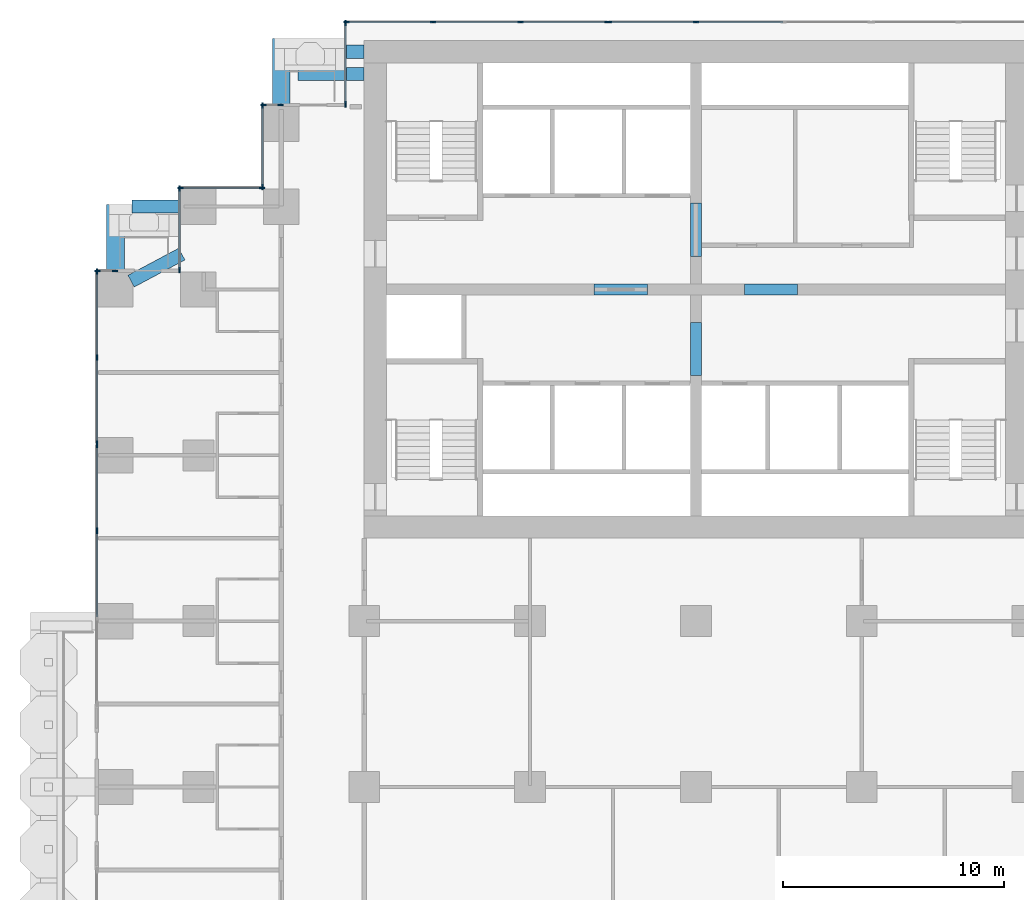
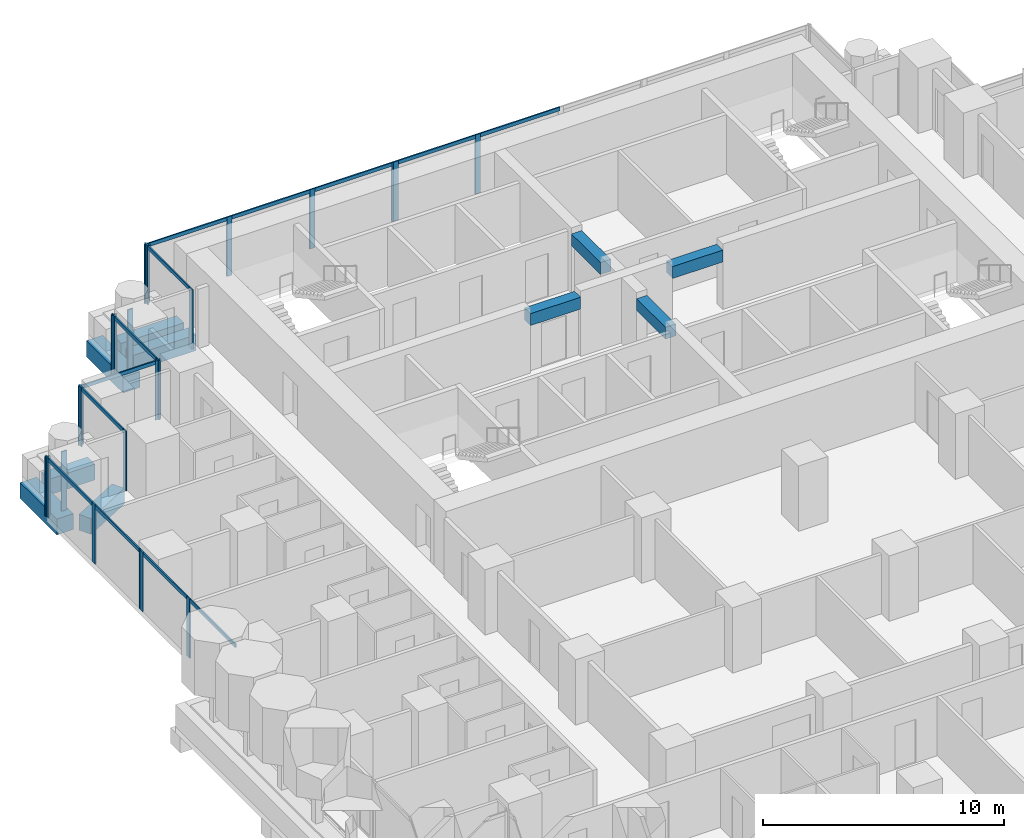
# One storey, part 4 of 18: 36 members, 10 beams, 10 elements without a shape of their own.
"""IFC4 building model written with IfcOpenShell, lengths in metres."""

from ifc_helpers import new_model, si_unit, direction, frame, origin, origin_2d, place, context, subcontext, project, spatial, rectangle, extrude, material, material_profile, profile_set, type_object, element, aggregate, save


model = new_model("IFC4")

# Units and contexts
model_context = context("Model", 3, precision=1e-05, world=origin(), true_north=direction((0.0, 1.0)))
body_context = subcontext(model_context, "Body", "Model", "MODEL_VIEW")
ifc_project = project(units=[si_unit("LENGTHUNIT", "METRE"), si_unit("AREAUNIT", "SQUARE_METRE"), si_unit("VOLUMEUNIT", "CUBIC_METRE"), si_unit("PLANEANGLEUNIT", "RADIAN"), si_unit("MASSUNIT", "GRAM", prefix="KILO")], contexts=[model_context])

# Site, building, storey
site_placement = place(None, origin())
site = spatial("IfcSite", under=ifc_project, at=site_placement, CompositionType="ELEMENT")
building_placement = place(site_placement, origin())
building = spatial("IfcBuilding", under=site, at=building_placement, Name="Pilkhan Gate Tower", CompositionType="ELEMENT")
storey_placement = place(building_placement, frame((0.0, 0.0, 52.699951171875)))
storey = spatial("IfcBuildingStorey", under=building, at=storey_placement, Name="L10", CompositionType="ELEMENT", Elevation=52.699951171875)

# Beams
ifc_material_1 = material(Name="Concrete C50/60", Category="concrete")
ifc_material_profile_1 = material_profile(ifc_material_1, rectangle(XDim=0.60009765625, YDim=0.800048828125, at=origin_2d()), Name="RC 600x800")
ifc_profile_set_1 = profile_set([ifc_material_profile_1], Name="Concrete C50/60")
beam_type_1 = type_object("IfcBeamType", Name="Cantilever beam CB1 RC 600x800 C50/60", PredefinedType="BEAM", material=ifc_profile_set_1)
for number, where, z_axis, x_axis, name in (
    (1, (60.0, 93.25, -0.699951171875), (-1.0, 0.0, 0.0), (0.0, -1.0, 0.0), "Balcony beam NW.2 L10"),
    (2, (60.0, 92.25, -0.699951171875), (-1.0, 0.0, 0.0), (0.0, -1.0, 0.0), "Balcony beam NW.3 L10"),
):
    element("IfcBeam", number, at=place(storey_placement, frame(where, z_axis=z_axis, x_axis=x_axis)), inside=storey, type_object=beam_type_1, Name=name, PredefinedType="BEAM", context=body_context, shape_type="SweptSolid", body=[
        extrude(rectangle(XDim=0.60009765625, YDim=0.800048828125, at=origin_2d()), origin(), (0.0, 0.0, 1.0), 3.0),
    ])
beam_1_placement = place(storey_placement, frame((51.699951171875, 86.25, -0.699951171875), z_axis=(-1.0, 0.0, 0.0), x_axis=(0.0, -1.0, 0.0)))
element("IfcBeam", 3, at=beam_1_placement, inside=storey, type_object=beam_type_1, Name="Balcony beam NW2.2 L10", PredefinedType="BEAM", context=body_context, shape_type="SweptSolid", body=[
    extrude(rectangle(XDim=0.60009765625, YDim=0.800048828125, at=origin_2d()), origin(), (0.0, 0.0, 1.0), 2.199951171875),
])
beam_2_placement = place(storey_placement, frame((49.455810546875, 82.87646484375, -0.699951171875), z_axis=(0.882342544151, 0.470607729199, 0.0), x_axis=(-0.470607729199, 0.882342544151, 0.0)))
element("IfcBeam", 4, at=beam_2_placement, inside=storey, type_object=beam_type_1, Name="Balcony beam NW2.3 L10", PredefinedType="BEAM", context=body_context, shape_type="SweptSolid", body=[
    extrude(rectangle(XDim=0.60009765625, YDim=0.800048828125, at=origin_2d()), origin(), (0.0, 0.0, 1.0), 2.60009765625),
])
ifc_material_profile_2 = material_profile(ifc_material_1, rectangle(XDim=0.800048828125, YDim=0.800048828125, at=origin_2d()), Name="RC 800x800")
ifc_profile_set_2 = profile_set([ifc_material_profile_2], Name="Concrete C50/60")
beam_type_2 = type_object("IfcBeamType", Name="Cantilever beam CB2 RC 800x800 C50/60", PredefinedType="BEAM", material=ifc_profile_set_2)
for number, where, z_axis, x_axis, name in (
    (5, (56.25, 90.800048828125, -0.699951171875), (0.0, 1.0, 0.0), (-1.0, 0.0, 0.0), "Balcony beam NW.1 L10"),
    (6, (48.75, 83.300048828125, -0.699951171875), (0.0, 1.0, 0.0), (-1.0, 0.0, 0.0), "Balcony beam NW2.1 L10"),
):
    element("IfcBeam", number, at=place(storey_placement, frame(where, z_axis=z_axis, x_axis=x_axis)), inside=storey, type_object=beam_type_2, Name=name, PredefinedType="BEAM", context=body_context, shape_type="SweptSolid", body=[
        extrude(rectangle(XDim=0.800048828125, YDim=0.800048828125, at=origin_2d()), origin(), (0.0, 0.0, 1.0), 3.050048828125),
    ])
ifc_material_2 = material(Name="Concrete C70/85", Category="concrete")
ifc_material_profile_3 = material_profile(ifc_material_2, rectangle(XDim=0.5, YDim=0.60009765625, at=origin_2d()), Name="RC 500x600")
ifc_profile_set_3 = profile_set([ifc_material_profile_3], Name="Concrete C70/85")
beam_type_3 = type_object("IfcBeamType", Name="Coupling beam CB60 RC 500x600 C70/85", PredefinedType="LINTEL", material=ifc_profile_set_3)
for number, where, z_axis, x_axis, name in (
    (7, (70.39990234375, 82.5, 2.699951171875), (1.0, 0.0, 0.0), (0.0, 1.0, 0.0), "Coupling beam 1 L10"),
    (8, (77.199951171875, 82.5, 2.699951171875), (1.0, 0.0, 0.0), (0.0, 1.0, 0.0), "Coupling beam 2 L10"),
):
    element("IfcBeam", number, at=place(storey_placement, frame(where, z_axis=z_axis, x_axis=x_axis)), inside=storey, type_object=beam_type_3, Name=name, PredefinedType="LINTEL", context=body_context, shape_type="SweptSolid", body=[
        extrude(rectangle(XDim=0.5, YDim=0.60009765625, at=origin_2d()), origin(), (0.0, 0.0, 1.0), 2.400146484375),
    ])
for number, where, z_axis, x_axis, name in (
    (9, (75.0, 78.60009765625, 2.699951171875), (0.0, 1.0, 0.0), (-1.0, 0.0, 0.0), "Coupling beam 3 L10"),
    (10, (75.0, 84.0, 2.699951171875), (0.0, 1.0, 0.0), (-1.0, 0.0, 0.0), "Coupling beam 4 L10"),
):
    element("IfcBeam", number, at=place(storey_placement, frame(where, z_axis=z_axis, x_axis=x_axis)), inside=storey, type_object=beam_type_3, Name=name, PredefinedType="LINTEL", context=body_context, shape_type="SweptSolid", body=[
        extrude(rectangle(XDim=0.5, YDim=0.60009765625, at=origin_2d()), origin(), (0.0, 0.0, 1.0), 2.39990234375),
    ])

# Curtain wall, members
ifc_material_3 = material(Name="Pale anodised aluminium, clear low-iron double glazing", Category="aluminium")
curtain_wall_type = type_object("IfcCurtainWallType", Name="Hotel unitised curtain wall CW-H", PredefinedType="USERDEFINED", material=ifc_material_3)
curtain_wall_1_placement = place(storey_placement, origin())
curtain_wall_1 = element("IfcCurtainWall", 11, at=curtain_wall_1_placement, inside=storey, type_object=curtain_wall_type, Name="Hotel unitised curtain wall CW-H L10 N", ObjectType="UNITISED CURTAIN WALL", PredefinedType="USERDEFINED")
ifc_material_4 = material(Name="Pale anodised aluminium", Category="aluminium")
ifc_material_profile_4 = material_profile(ifc_material_4, rectangle(XDim=0.06494140625, YDim=0.25, at=origin_2d()), Name="Mullion 250x65")
ifc_profile_set_4 = profile_set([ifc_material_profile_4], Name="Pale anodised aluminium")
member_type_1 = type_object("IfcMemberType", Name="Mullion CW-H 250x65", PredefinedType="MULLION", material=ifc_profile_set_4)
member_1_placement = place(storey_placement, frame((59.1875, 94.594970703125, 0.0), z_axis=(0.0, 0.0, 1.0), x_axis=(0.0, 1.0, 0.0)))
member_1 = element("IfcMember", 12, at=member_1_placement, type_object=member_type_1, Name="CW-H mullion 1", PredefinedType="MULLION", context=body_context, shape_type="SweptSolid", body=[
    extrude(rectangle(XDim=0.06494140625, YDim=0.25, at=origin_2d()), origin(), (0.0, 0.0, 1.0), 3.0),
])
member_2_placement = place(storey_placement, frame((63.1162109375, 94.594970703125, 0.0), z_axis=(0.0, 0.0, 1.0), x_axis=(0.0, 1.0, 0.0)))
member_2 = element("IfcMember", 13, at=member_2_placement, type_object=member_type_1, Name="CW-H mullion 2", PredefinedType="MULLION", context=body_context, shape_type="SweptSolid", body=[
    extrude(rectangle(XDim=0.06494140625, YDim=0.25, at=origin_2d()), origin(), (0.0, 0.0, 1.0), 3.0),
])
member_3_placement = place(storey_placement, frame((67.077392578125, 94.594970703125, 0.0), z_axis=(0.0, 0.0, 1.0), x_axis=(0.0, 1.0, 0.0)))
member_3 = element("IfcMember", 14, at=member_3_placement, type_object=member_type_1, Name="CW-H mullion 3", PredefinedType="MULLION", context=body_context, shape_type="SweptSolid", body=[
    extrude(rectangle(XDim=0.06494140625, YDim=0.25, at=origin_2d()), origin(), (0.0, 0.0, 1.0), 3.0),
])
member_4_placement = place(storey_placement, frame((71.00634765625, 94.594970703125, 0.0), z_axis=(0.0, 0.0, 1.0), x_axis=(0.0, 1.0, 0.0)))
member_4 = element("IfcMember", 15, at=member_4_placement, type_object=member_type_1, Name="CW-H mullion 4", PredefinedType="MULLION", context=body_context, shape_type="SweptSolid", body=[
    extrude(rectangle(XDim=0.06494140625, YDim=0.25, at=origin_2d()), origin(), (0.0, 0.0, 1.0), 3.0),
])

curtain_wall_2_placement = place(storey_placement, origin())
curtain_wall_2 = element("IfcCurtainWall", 16, at=curtain_wall_2_placement, inside=storey, type_object=curtain_wall_type, Name="Hotel unitised curtain wall CW-H L10 N", ObjectType="UNITISED CURTAIN WALL", PredefinedType="USERDEFINED")
member_5_placement = place(storey_placement, frame((71.0712890625, 94.594970703125, 0.0), z_axis=(0.0, 0.0, 1.0), x_axis=(0.0, 1.0, 0.0)))
member_5 = element("IfcMember", 17, at=member_5_placement, type_object=member_type_1, Name="CW-H mullion 1", PredefinedType="MULLION", context=body_context, shape_type="SweptSolid", body=[
    extrude(rectangle(XDim=0.06494140625, YDim=0.25, at=origin_2d()), origin(), (0.0, 0.0, 1.0), 3.0),
])
member_6_placement = place(storey_placement, frame((75.0, 94.594970703125, 0.0), z_axis=(0.0, 0.0, 1.0), x_axis=(0.0, 1.0, 0.0)))
member_6 = element("IfcMember", 18, at=member_6_placement, type_object=member_type_1, Name="CW-H mullion 2", PredefinedType="MULLION", context=body_context, shape_type="SweptSolid", body=[
    extrude(rectangle(XDim=0.06494140625, YDim=0.25, at=origin_2d()), origin(), (0.0, 0.0, 1.0), 3.0),
])

curtain_wall_3_placement = place(storey_placement, origin())
curtain_wall_3 = element("IfcCurtainWall", 19, at=curtain_wall_3_placement, inside=storey, type_object=curtain_wall_type, Name="Hotel unitised curtain wall CW-H L10 W", ObjectType="UNITISED CURTAIN WALL", PredefinedType="USERDEFINED")
member_7_placement = place(storey_placement, frame((59.155029296875, 90.87744140625, 0.0), z_axis=(0.0, 0.0, 1.0), x_axis=(-1.0, 0.0, 0.0)))
member_7 = element("IfcMember", 20, at=member_7_placement, type_object=member_type_1, Name="CW-H mullion 1", PredefinedType="MULLION", context=body_context, shape_type="SweptSolid", body=[
    extrude(rectangle(XDim=0.06494140625, YDim=0.25, at=origin_2d()), origin(), (0.0, 0.0, 1.0), 3.0),
])
member_8_placement = place(storey_placement, frame((59.155029296875, 94.5625, 0.0), z_axis=(0.0, 0.0, 1.0), x_axis=(-1.0, 0.0, 0.0)))
member_8 = element("IfcMember", 21, at=member_8_placement, type_object=member_type_1, Name="CW-H mullion 2", PredefinedType="MULLION", context=body_context, shape_type="SweptSolid", body=[
    extrude(rectangle(XDim=0.06494140625, YDim=0.25, at=origin_2d()), origin(), (0.0, 0.0, 1.0), 3.0),
])

curtain_wall_4_placement = place(storey_placement, origin())
curtain_wall_4 = element("IfcCurtainWall", 22, at=curtain_wall_4_placement, inside=storey, type_object=curtain_wall_type, Name="Hotel unitised curtain wall CW-H L10 N", ObjectType="UNITISED CURTAIN WALL", PredefinedType="USERDEFINED")
member_9_placement = place(storey_placement, frame((55.4375, 90.844970703125, 0.0), z_axis=(0.0, 0.0, 1.0), x_axis=(0.0, 1.0, 0.0)))
member_9 = element("IfcMember", 23, at=member_9_placement, type_object=member_type_1, Name="CW-H mullion 1", PredefinedType="MULLION", context=body_context, shape_type="SweptSolid", body=[
    extrude(rectangle(XDim=0.06494140625, YDim=0.25, at=origin_2d()), origin(), (0.0, 0.0, 1.0), 3.0),
])
member_10_placement = place(storey_placement, frame((56.217529296875, 90.844970703125, 0.0), z_axis=(0.0, 0.0, 1.0), x_axis=(0.0, 1.0, 0.0)))
member_10 = element("IfcMember", 24, at=member_10_placement, type_object=member_type_1, Name="CW-H mullion 2", PredefinedType="MULLION", context=body_context, shape_type="SweptSolid", body=[
    extrude(rectangle(XDim=0.06494140625, YDim=0.25, at=origin_2d()), origin(), (0.0, 0.0, 1.0), 3.0),
])
aggregate(curtain_wall_4, [member_9, member_10])

curtain_wall_5_placement = place(storey_placement, origin())
curtain_wall_5 = element("IfcCurtainWall", 25, at=curtain_wall_5_placement, inside=storey, type_object=curtain_wall_type, Name="Hotel unitised curtain wall CW-H L10 W", ObjectType="UNITISED CURTAIN WALL", PredefinedType="USERDEFINED")
member_11_placement = place(storey_placement, frame((55.405029296875, 87.12744140625, 0.0), z_axis=(0.0, 0.0, 1.0), x_axis=(-1.0, 0.0, 0.0)))
member_11 = element("IfcMember", 26, at=member_11_placement, type_object=member_type_1, Name="CW-H mullion 1", PredefinedType="MULLION", context=body_context, shape_type="SweptSolid", body=[
    extrude(rectangle(XDim=0.06494140625, YDim=0.25, at=origin_2d()), origin(), (0.0, 0.0, 1.0), 3.0),
])
member_12_placement = place(storey_placement, frame((55.405029296875, 90.8125, 0.0), z_axis=(0.0, 0.0, 1.0), x_axis=(-1.0, 0.0, 0.0)))
member_12 = element("IfcMember", 27, at=member_12_placement, type_object=member_type_1, Name="CW-H mullion 2", PredefinedType="MULLION", context=body_context, shape_type="SweptSolid", body=[
    extrude(rectangle(XDim=0.06494140625, YDim=0.25, at=origin_2d()), origin(), (0.0, 0.0, 1.0), 3.0),
])

curtain_wall_6_placement = place(storey_placement, origin())
curtain_wall_6 = element("IfcCurtainWall", 28, at=curtain_wall_6_placement, inside=storey, type_object=curtain_wall_type, Name="Hotel unitised curtain wall CW-H L10 N", ObjectType="UNITISED CURTAIN WALL", PredefinedType="USERDEFINED")
member_13_placement = place(storey_placement, frame((51.6875, 87.094970703125, 0.0), z_axis=(0.0, 0.0, 1.0), x_axis=(0.0, 1.0, 0.0)))
member_13 = element("IfcMember", 29, at=member_13_placement, type_object=member_type_1, Name="CW-H mullion 1", PredefinedType="MULLION", context=body_context, shape_type="SweptSolid", body=[
    extrude(rectangle(XDim=0.06494140625, YDim=0.25, at=origin_2d()), origin(), (0.0, 0.0, 1.0), 3.0),
])
member_14_placement = place(storey_placement, frame((55.37255859375, 87.094970703125, 0.0), z_axis=(0.0, 0.0, 1.0), x_axis=(0.0, 1.0, 0.0)))
member_14 = element("IfcMember", 30, at=member_14_placement, type_object=member_type_1, Name="CW-H mullion 2", PredefinedType="MULLION", context=body_context, shape_type="SweptSolid", body=[
    extrude(rectangle(XDim=0.06494140625, YDim=0.25, at=origin_2d()), origin(), (0.0, 0.0, 1.0), 3.0),
])

curtain_wall_7_placement = place(storey_placement, origin())
curtain_wall_7 = element("IfcCurtainWall", 31, at=curtain_wall_7_placement, inside=storey, type_object=curtain_wall_type, Name="Hotel unitised curtain wall CW-H L10 W", ObjectType="UNITISED CURTAIN WALL", PredefinedType="USERDEFINED")
member_15_placement = place(storey_placement, frame((51.655029296875, 83.37744140625, 0.0), z_axis=(0.0, 0.0, 1.0), x_axis=(-1.0, 0.0, 0.0)))
member_15 = element("IfcMember", 32, at=member_15_placement, type_object=member_type_1, Name="CW-H mullion 1", PredefinedType="MULLION", context=body_context, shape_type="SweptSolid", body=[
    extrude(rectangle(XDim=0.06494140625, YDim=0.25, at=origin_2d()), origin(), (0.0, 0.0, 1.0), 3.0),
])
member_16_placement = place(storey_placement, frame((51.655029296875, 87.0625, 0.0), z_axis=(0.0, 0.0, 1.0), x_axis=(-1.0, 0.0, 0.0)))
member_16 = element("IfcMember", 33, at=member_16_placement, type_object=member_type_1, Name="CW-H mullion 2", PredefinedType="MULLION", context=body_context, shape_type="SweptSolid", body=[
    extrude(rectangle(XDim=0.06494140625, YDim=0.25, at=origin_2d()), origin(), (0.0, 0.0, 1.0), 3.0),
])

curtain_wall_8_placement = place(storey_placement, origin())
curtain_wall_8 = element("IfcCurtainWall", 34, at=curtain_wall_8_placement, inside=storey, type_object=curtain_wall_type, Name="Hotel unitised curtain wall CW-H L10 N", ObjectType="UNITISED CURTAIN WALL", PredefinedType="USERDEFINED")
member_17_placement = place(storey_placement, frame((47.9375, 83.344970703125, 0.0), z_axis=(0.0, 0.0, 1.0), x_axis=(0.0, 1.0, 0.0)))
member_17 = element("IfcMember", 35, at=member_17_placement, type_object=member_type_1, Name="CW-H mullion 1", PredefinedType="MULLION", context=body_context, shape_type="SweptSolid", body=[
    extrude(rectangle(XDim=0.06494140625, YDim=0.25, at=origin_2d()), origin(), (0.0, 0.0, 1.0), 3.0),
])
member_18_placement = place(storey_placement, frame((48.717529296875, 83.344970703125, 0.0), z_axis=(0.0, 0.0, 1.0), x_axis=(0.0, 1.0, 0.0)))
member_18 = element("IfcMember", 36, at=member_18_placement, type_object=member_type_1, Name="CW-H mullion 2", PredefinedType="MULLION", context=body_context, shape_type="SweptSolid", body=[
    extrude(rectangle(XDim=0.06494140625, YDim=0.25, at=origin_2d()), origin(), (0.0, 0.0, 1.0), 3.0),
])
aggregate(curtain_wall_8, [member_17, member_18])

curtain_wall_9_placement = place(storey_placement, origin())
curtain_wall_9 = element("IfcCurtainWall", 37, at=curtain_wall_9_placement, inside=storey, type_object=curtain_wall_type, Name="Hotel unitised curtain wall CW-H L10 W", ObjectType="UNITISED CURTAIN WALL", PredefinedType="USERDEFINED")
member_19_placement = place(storey_placement, frame((47.905029296875, 71.587890625, 0.0), z_axis=(0.0, 0.0, 1.0), x_axis=(-1.0, 0.0, 0.0)))
member_19 = element("IfcMember", 38, at=member_19_placement, type_object=member_type_1, Name="CW-H mullion 3", PredefinedType="MULLION", context=body_context, shape_type="SweptSolid", body=[
    extrude(rectangle(XDim=0.06494140625, YDim=0.25, at=origin_2d()), origin(), (0.0, 0.0, 1.0), 3.0),
])
member_20_placement = place(storey_placement, frame((47.905029296875, 75.474609375, 0.0), z_axis=(0.0, 0.0, 1.0), x_axis=(-1.0, 0.0, 0.0)))
member_20 = element("IfcMember", 39, at=member_20_placement, type_object=member_type_1, Name="CW-H mullion 4", PredefinedType="MULLION", context=body_context, shape_type="SweptSolid", body=[
    extrude(rectangle(XDim=0.06494140625, YDim=0.25, at=origin_2d()), origin(), (0.0, 0.0, 1.0), 3.0),
])

curtain_wall_10_placement = place(storey_placement, origin())
curtain_wall_10 = element("IfcCurtainWall", 40, at=curtain_wall_10_placement, inside=storey, type_object=curtain_wall_type, Name="Hotel unitised curtain wall CW-H L10 W", ObjectType="UNITISED CURTAIN WALL", PredefinedType="USERDEFINED")
member_21_placement = place(storey_placement, frame((47.905029296875, 75.53955078125, 0.0), z_axis=(0.0, 0.0, 1.0), x_axis=(-1.0, 0.0, 0.0)))
member_21 = element("IfcMember", 41, at=member_21_placement, type_object=member_type_1, Name="CW-H mullion 1", PredefinedType="MULLION", context=body_context, shape_type="SweptSolid", body=[
    extrude(rectangle(XDim=0.06494140625, YDim=0.25, at=origin_2d()), origin(), (0.0, 0.0, 1.0), 3.0),
])
member_22_placement = place(storey_placement, frame((47.905029296875, 79.426025390625, 0.0), z_axis=(0.0, 0.0, 1.0), x_axis=(-1.0, 0.0, 0.0)))
member_22 = element("IfcMember", 42, at=member_22_placement, type_object=member_type_1, Name="CW-H mullion 2", PredefinedType="MULLION", context=body_context, shape_type="SweptSolid", body=[
    extrude(rectangle(XDim=0.06494140625, YDim=0.25, at=origin_2d()), origin(), (0.0, 0.0, 1.0), 3.0),
])
member_23_placement = place(storey_placement, frame((47.905029296875, 83.3125, 0.0), z_axis=(0.0, 0.0, 1.0), x_axis=(-1.0, 0.0, 0.0)))
member_23 = element("IfcMember", 43, at=member_23_placement, type_object=member_type_1, Name="CW-H mullion 3", PredefinedType="MULLION", context=body_context, shape_type="SweptSolid", body=[
    extrude(rectangle(XDim=0.06494140625, YDim=0.25, at=origin_2d()), origin(), (0.0, 0.0, 1.0), 3.0),
])

# Member
ifc_material_profile_5 = material_profile(ifc_material_4, rectangle(XDim=0.06494140625, YDim=0.179931640625, at=origin_2d()), Name="Transom 180x65")
ifc_profile_set_5 = profile_set([ifc_material_profile_5], Name="Pale anodised aluminium")
member_type_2 = type_object("IfcMemberType", Name="Transom CW-H 180x65", PredefinedType="USERDEFINED", material=ifc_profile_set_5)
member_24_placement = place(storey_placement, frame((59.219970703125, 94.594970703125, 2.91015625), z_axis=(1.0, 0.0, 0.0), x_axis=(0.0, 1.0, 0.0)))
member_24 = element("IfcMember", 44, at=member_24_placement, type_object=member_type_2, Name="CW-H transom 1", ObjectType="TRANSOM", PredefinedType="USERDEFINED", context=body_context, shape_type="SweptSolid", body=[
    extrude(rectangle(XDim=0.06494140625, YDim=0.179931640625, at=origin_2d()), origin(), (0.0, 0.0, 1.0), 3.86376953125),
])

member_25_placement = place(storey_placement, frame((63.148681640625, 94.594970703125, 2.91015625), z_axis=(1.0, 0.0, 0.0), x_axis=(0.0, 1.0, 0.0)))
member_25 = element("IfcMember", 45, at=member_25_placement, type_object=member_type_2, Name="CW-H transom 2", ObjectType="TRANSOM", PredefinedType="USERDEFINED", context=body_context, shape_type="SweptSolid", body=[
    extrude(rectangle(XDim=0.06494140625, YDim=0.179931640625, at=origin_2d()), origin(), (0.0, 0.0, 1.0), 3.896240234375),
])

member_26_placement = place(storey_placement, frame((67.110107421875, 94.594970703125, 2.91015625), z_axis=(1.0, 0.0, 0.0), x_axis=(0.0, 1.0, 0.0)))
member_26 = element("IfcMember", 46, at=member_26_placement, type_object=member_type_2, Name="CW-H transom 3", ObjectType="TRANSOM", PredefinedType="USERDEFINED", context=body_context, shape_type="SweptSolid", body=[
    extrude(rectangle(XDim=0.06494140625, YDim=0.179931640625, at=origin_2d()), origin(), (0.0, 0.0, 1.0), 3.863525390625),
])

aggregate(curtain_wall_1, [member_1, member_2, member_3, member_4, member_24, member_25, member_26])

member_27_placement = place(storey_placement, frame((71.103759765625, 94.594970703125, 2.91015625), z_axis=(1.0, 0.0, 0.0), x_axis=(0.0, 1.0, 0.0)))
member_27 = element("IfcMember", 47, at=member_27_placement, type_object=member_type_2, Name="CW-H transom 1", ObjectType="TRANSOM", PredefinedType="USERDEFINED", context=body_context, shape_type="SweptSolid", body=[
    extrude(rectangle(XDim=0.06494140625, YDim=0.179931640625, at=origin_2d()), origin(), (0.0, 0.0, 1.0), 3.86376953125),
])

member_28_placement = place(storey_placement, frame((75.032470703125, 94.594970703125, 2.91015625), z_axis=(1.0, 0.0, 0.0), x_axis=(0.0, 1.0, 0.0)))
member_28 = element("IfcMember", 48, at=member_28_placement, type_object=member_type_2, Name="CW-H transom 2", ObjectType="TRANSOM", PredefinedType="USERDEFINED", context=body_context, shape_type="SweptSolid", body=[
    extrude(rectangle(XDim=0.06494140625, YDim=0.179931640625, at=origin_2d()), origin(), (0.0, 0.0, 1.0), 3.896240234375),
])

aggregate(curtain_wall_2, [member_5, member_6, member_27, member_28])

member_29_placement = place(storey_placement, frame((59.155029296875, 90.909912109375, 2.91015625), z_axis=(0.0, 1.0, 0.0), x_axis=(-1.0, 0.0, 0.0)))
member_29 = element("IfcMember", 49, at=member_29_placement, type_object=member_type_2, Name="CW-H transom 1", ObjectType="TRANSOM", PredefinedType="USERDEFINED", context=body_context, shape_type="SweptSolid", body=[
    extrude(rectangle(XDim=0.06494140625, YDim=0.179931640625, at=origin_2d()), origin(), (0.0, 0.0, 1.0), 3.6201171875),
])

aggregate(curtain_wall_3, [member_7, member_8, member_29])

member_30_placement = place(storey_placement, frame((55.405029296875, 87.159912109375, 2.91015625), z_axis=(0.0, 1.0, 0.0), x_axis=(-1.0, 0.0, 0.0)))
member_30 = element("IfcMember", 50, at=member_30_placement, type_object=member_type_2, Name="CW-H transom 1", ObjectType="TRANSOM", PredefinedType="USERDEFINED", context=body_context, shape_type="SweptSolid", body=[
    extrude(rectangle(XDim=0.06494140625, YDim=0.179931640625, at=origin_2d()), origin(), (0.0, 0.0, 1.0), 3.6201171875),
])

aggregate(curtain_wall_5, [member_11, member_12, member_30])

member_31_placement = place(storey_placement, frame((51.719970703125, 87.094970703125, 2.91015625), z_axis=(1.0, 0.0, 0.0), x_axis=(0.0, 1.0, 0.0)))
member_31 = element("IfcMember", 51, at=member_31_placement, type_object=member_type_2, Name="CW-H transom 1", ObjectType="TRANSOM", PredefinedType="USERDEFINED", context=body_context, shape_type="SweptSolid", body=[
    extrude(rectangle(XDim=0.06494140625, YDim=0.179931640625, at=origin_2d()), origin(), (0.0, 0.0, 1.0), 3.6201171875),
])

aggregate(curtain_wall_6, [member_13, member_14, member_31])

member_32_placement = place(storey_placement, frame((51.655029296875, 83.409912109375, 2.91015625), z_axis=(0.0, 1.0, 0.0), x_axis=(-1.0, 0.0, 0.0)))
member_32 = element("IfcMember", 52, at=member_32_placement, type_object=member_type_2, Name="CW-H transom 1", ObjectType="TRANSOM", PredefinedType="USERDEFINED", context=body_context, shape_type="SweptSolid", body=[
    extrude(rectangle(XDim=0.06494140625, YDim=0.179931640625, at=origin_2d()), origin(), (0.0, 0.0, 1.0), 3.6201171875),
])

aggregate(curtain_wall_7, [member_15, member_16, member_32])

member_33_placement = place(storey_placement, frame((47.905029296875, 67.701416015625, 2.91015625), z_axis=(0.0, 1.0, 0.0), x_axis=(-1.0, 0.0, 0.0)))
member_33 = element("IfcMember", 53, at=member_33_placement, type_object=member_type_2, Name="CW-H transom 2", ObjectType="TRANSOM", PredefinedType="USERDEFINED", context=body_context, shape_type="SweptSolid", body=[
    extrude(rectangle(XDim=0.06494140625, YDim=0.179931640625, at=origin_2d()), origin(), (0.0, 0.0, 1.0), 3.85400390625),
])

member_34_placement = place(storey_placement, frame((47.905029296875, 71.62060546875, 2.91015625), z_axis=(0.0, 1.0, 0.0), x_axis=(-1.0, 0.0, 0.0)))
member_34 = element("IfcMember", 54, at=member_34_placement, type_object=member_type_2, Name="CW-H transom 3", ObjectType="TRANSOM", PredefinedType="USERDEFINED", context=body_context, shape_type="SweptSolid", body=[
    extrude(rectangle(XDim=0.06494140625, YDim=0.179931640625, at=origin_2d()), origin(), (0.0, 0.0, 1.0), 3.8212890625),
])

aggregate(curtain_wall_9, [member_19, member_20, member_33, member_34])

member_35_placement = place(storey_placement, frame((47.905029296875, 75.572021484375, 2.91015625), z_axis=(0.0, 1.0, 0.0), x_axis=(-1.0, 0.0, 0.0)))
member_35 = element("IfcMember", 55, at=member_35_placement, type_object=member_type_2, Name="CW-H transom 1", ObjectType="TRANSOM", PredefinedType="USERDEFINED", context=body_context, shape_type="SweptSolid", body=[
    extrude(rectangle(XDim=0.06494140625, YDim=0.179931640625, at=origin_2d()), origin(), (0.0, 0.0, 1.0), 3.821533203125),
])

member_36_placement = place(storey_placement, frame((47.905029296875, 79.45849609375, 2.91015625), z_axis=(0.0, 1.0, 0.0), x_axis=(-1.0, 0.0, 0.0)))
member_36 = element("IfcMember", 56, at=member_36_placement, type_object=member_type_2, Name="CW-H transom 2", ObjectType="TRANSOM", PredefinedType="USERDEFINED", context=body_context, shape_type="SweptSolid", body=[
    extrude(rectangle(XDim=0.06494140625, YDim=0.179931640625, at=origin_2d()), origin(), (0.0, 0.0, 1.0), 3.821533203125),
])

aggregate(curtain_wall_10, [member_21, member_22, member_23, member_35, member_36])

save(model, "model.ifc")
